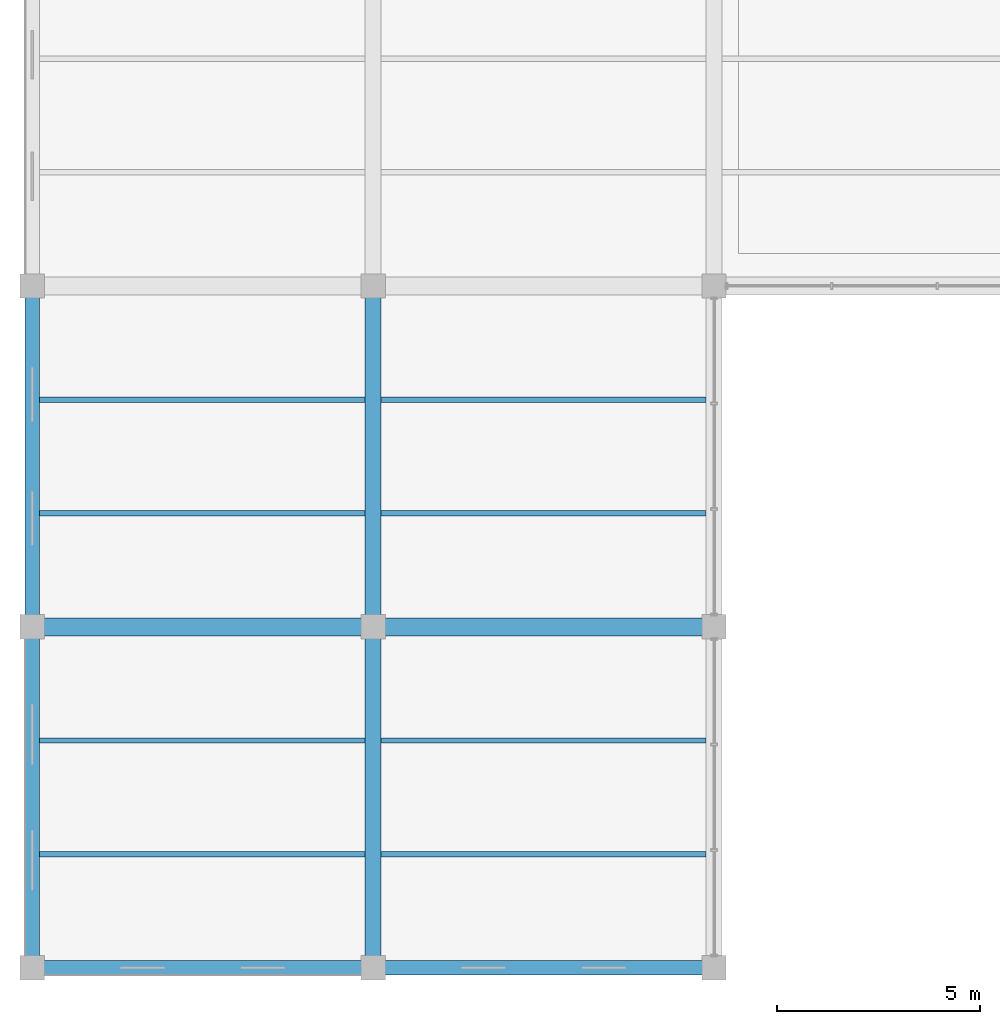
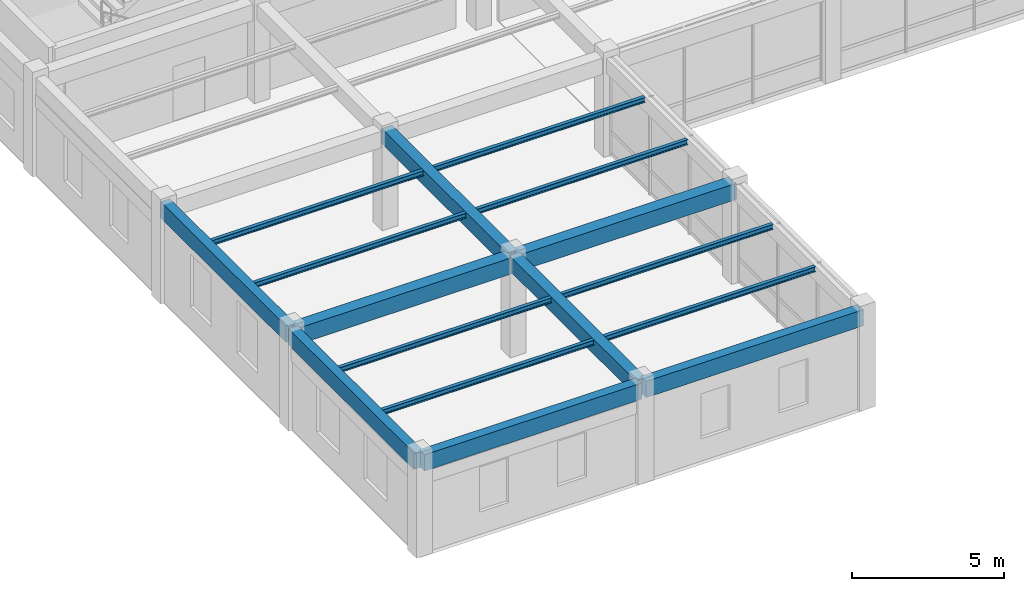
# One storey, part 6 of 114: 16 beams.
"""IFC4 building model written with IfcOpenShell, lengths in metres."""

from ifc_helpers import new_model, si_unit, direction, frame, origin, origin_2d, place, context, subcontext, project, spatial, rectangle, i_section, extrude, material, material_profile, profile_set, type_object, element, save


model = new_model("IFC4")

# Units and contexts
model_context = context("Model", 3, precision=1e-05, world=origin(), true_north=direction((0.0, 1.0)))
body_context = subcontext(model_context, "Body", "Model", "MODEL_VIEW")
ifc_project = project(units=[si_unit("LENGTHUNIT", "METRE"), si_unit("AREAUNIT", "SQUARE_METRE"), si_unit("VOLUMEUNIT", "CUBIC_METRE"), si_unit("PLANEANGLEUNIT", "RADIAN"), si_unit("MASSUNIT", "GRAM", prefix="KILO"), si_unit("THERMODYNAMICTEMPERATUREUNIT", "KELVIN"), si_unit("POWERUNIT", "WATT")], contexts=[model_context])

# Site, building, storey
site_placement = place(None, origin())
site = spatial("IfcSite", under=ifc_project, at=site_placement, CompositionType="ELEMENT")
building_placement = place(site_placement, origin())
building = spatial("IfcBuilding", under=site, at=building_placement, Name="Darbajah Civic Hall", CompositionType="ELEMENT")
storey_placement = place(building_placement, frame((0.0, 0.0, 13.800048828125)))
storey = spatial("IfcBuildingStorey", under=building, at=storey_placement, Name="L03", CompositionType="ELEMENT", Elevation=13.800048828125)

# Beams
ifc_material_1 = material(Name="Concrete C45/55", Category="concrete")
ifc_material_profile_1 = material_profile(ifc_material_1, rectangle(XDim=0.39990234375, YDim=0.60009765625, at=origin_2d()), Name="RC BEAM 400x600")
ifc_profile_set_1 = profile_set([ifc_material_profile_1], Name="Concrete C45/55")
beam_type_1 = type_object("IfcBeamType", Name="RC BEAM 400x600", PredefinedType="BEAM", material=ifc_profile_set_1)
for number, where, z_axis, x_axis, name in (
    (1, (8.39990234375, 0.080078125, 3.639892578125), (0.0, 1.0, 0.0), (-1.0, 0.0, 0.0), "L03 beam BM-4060"),
    (2, (8.39990234375, 8.47998046875, 3.639892578125), (0.0, 1.0, 0.0), (-1.0, 0.0, 0.0), "L03 beam BM-4060"),
):
    element("IfcBeam", number, at=place(storey_placement, frame(where, z_axis=z_axis, x_axis=x_axis)), inside=storey, type_object=beam_type_1, Name=name, PredefinedType="BEAM", context=body_context, shape_type="SweptSolid", body=[
        extrude(rectangle(XDim=0.39990234375, YDim=0.60009765625, at=origin_2d()), origin(), (0.0, 0.0, 1.0), 8.239990234375),
    ])
ifc_material_profile_2 = material_profile(ifc_material_1, rectangle(XDim=0.449951171875, YDim=0.64990234375, at=origin_2d()), Name="RC BEAM 450x650")
ifc_profile_set_2 = profile_set([ifc_material_profile_2], Name="Concrete C45/55")
beam_type_2 = type_object("IfcBeamType", Name="RC BEAM 450x650", PredefinedType="BEAM", material=ifc_profile_set_2)
for number, where, z_axis, x_axis, name in (
    (3, (0.080078125, 8.39990234375, 3.614990234375), (1.0, 0.0, 0.0), (0.0, 1.0, 0.0), "L03 beam BM-4565"),
    (4, (8.47998046875, 8.39990234375, 3.614990234375), (1.0, 0.0, 0.0), (0.0, 1.0, 0.0), "L03 beam BM-4565"),
):
    element("IfcBeam", number, at=place(storey_placement, frame(where, z_axis=z_axis, x_axis=x_axis)), inside=storey, type_object=beam_type_2, Name=name, PredefinedType="BEAM", context=body_context, shape_type="SweptSolid", body=[
        extrude(rectangle(XDim=0.449951171875, YDim=0.64990234375, at=origin_2d()), origin(), (0.0, 0.0, 1.0), 8.239990234375),
    ])
ifc_material_profile_3 = material_profile(ifc_material_1, rectangle(XDim=0.35009765625, YDim=0.64990234375, at=origin_2d()), Name="RC SPANDREL 350x650")
ifc_profile_set_3 = profile_set([ifc_material_profile_3], Name="Concrete C45/55")
beam_type_3 = type_object("IfcBeamType", Name="RC SPANDREL 350x650", PredefinedType="SPANDREL", material=ifc_profile_set_3)
for number, where, z_axis, x_axis, name in (
    (5, (0.080078125, 0.0, 3.614990234375), (1.0, 0.0, 0.0), (0.0, 1.0, 0.0), "L03 beam SP-3565"),
    (6, (8.47998046875, 0.0, 3.614990234375), (1.0, 0.0, 0.0), (0.0, 1.0, 0.0), "L03 beam SP-3565"),
    (7, (0.0, 0.080078125, 3.614990234375), (0.0, 1.0, 0.0), (-1.0, 0.0, 0.0), "L03 beam SP-3565"),
    (8, (0.0, 8.47998046875, 3.614990234375), (0.0, 1.0, 0.0), (-1.0, 0.0, 0.0), "L03 beam SP-3565"),
):
    element("IfcBeam", number, at=place(storey_placement, frame(where, z_axis=z_axis, x_axis=x_axis)), inside=storey, type_object=beam_type_3, Name=name, PredefinedType="SPANDREL", context=body_context, shape_type="SweptSolid", body=[
        extrude(rectangle(XDim=0.35009765625, YDim=0.64990234375, at=origin_2d()), origin(), (0.0, 0.0, 1.0), 8.239990234375),
    ])
ifc_material_2 = material(Name="Steel S355JR", Category="steel")
ifc_material_profile_4 = material_profile(ifc_material_2, i_section(OverallWidth=0.1337890625, OverallDepth=0.206787109375, WebThickness=0.00634765625, FlangeThickness=0.009521484375, FilletRadius=0.007568359375, at=origin_2d()), Name="UB 203x133x30")
ifc_profile_set_4 = profile_set([ifc_material_profile_4], Name="Steel S355JR")
beam_type_4 = type_object("IfcBeamType", Name="UB 203x133x30", PredefinedType="JOIST", material=ifc_profile_set_4)
for number, where, z_axis, x_axis, name in (
    (9, (0.175048828125, 2.800048828125, 3.836669921875), (1.0, 0.0, 0.0), (0.0, 1.0, 0.0), "L03 beam SJ-203"),
    (10, (0.175048828125, 5.60009765625, 3.836669921875), (1.0, 0.0, 0.0), (0.0, 1.0, 0.0), "L03 beam SJ-203"),
    (11, (0.175048828125, 11.199951171875, 3.836669921875), (1.0, 0.0, 0.0), (0.0, 1.0, 0.0), "L03 beam SJ-203"),
    (12, (0.175048828125, 14.0, 3.836669921875), (1.0, 0.0, 0.0), (0.0, 1.0, 0.0), "L03 beam SJ-203"),
):
    element("IfcBeam", number, at=place(storey_placement, frame(where, z_axis=z_axis, x_axis=x_axis)), inside=storey, type_object=beam_type_4, Name=name, PredefinedType="JOIST", context=body_context, shape_type="SweptSolid", body=[
        extrude(i_section(OverallWidth=0.1337890625, OverallDepth=0.206787109375, WebThickness=0.00634765625, FlangeThickness=0.009521484375, FilletRadius=0.007568359375, at=origin_2d()), origin(), (0.0, 0.0, 1.0), 8.02490234375),
    ])
for number, where, z_axis, x_axis, name in (
    (13, (8.60009765625, 2.800048828125, 3.836669921875), (1.0, 0.0, 0.0), (0.0, 1.0, 0.0), "L03 beam SJ-203"),
    (14, (8.60009765625, 5.60009765625, 3.836669921875), (1.0, 0.0, 0.0), (0.0, 1.0, 0.0), "L03 beam SJ-203"),
    (15, (8.60009765625, 11.199951171875, 3.836669921875), (1.0, 0.0, 0.0), (0.0, 1.0, 0.0), "L03 beam SJ-203"),
    (16, (8.60009765625, 14.0, 3.836669921875), (1.0, 0.0, 0.0), (0.0, 1.0, 0.0), "L03 beam SJ-203"),
):
    element("IfcBeam", number, at=place(storey_placement, frame(where, z_axis=z_axis, x_axis=x_axis)), inside=storey, type_object=beam_type_4, Name=name, PredefinedType="JOIST", context=body_context, shape_type="SweptSolid", body=[
        extrude(i_section(OverallWidth=0.1337890625, OverallDepth=0.206787109375, WebThickness=0.00634765625, FlangeThickness=0.009521484375, FilletRadius=0.007568359375, at=origin_2d()), origin(), (0.0, 0.0, 1.0), 8.0),
    ])

save(model, "model.ifc")
